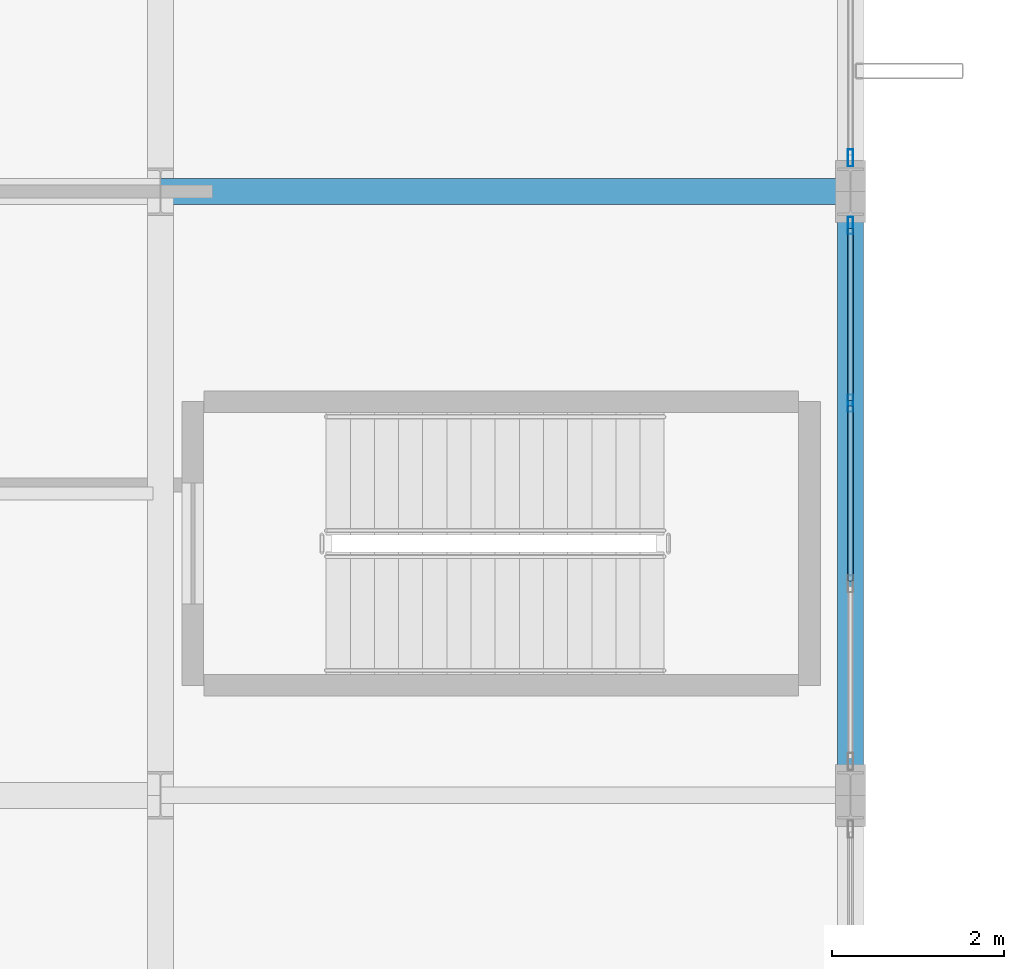
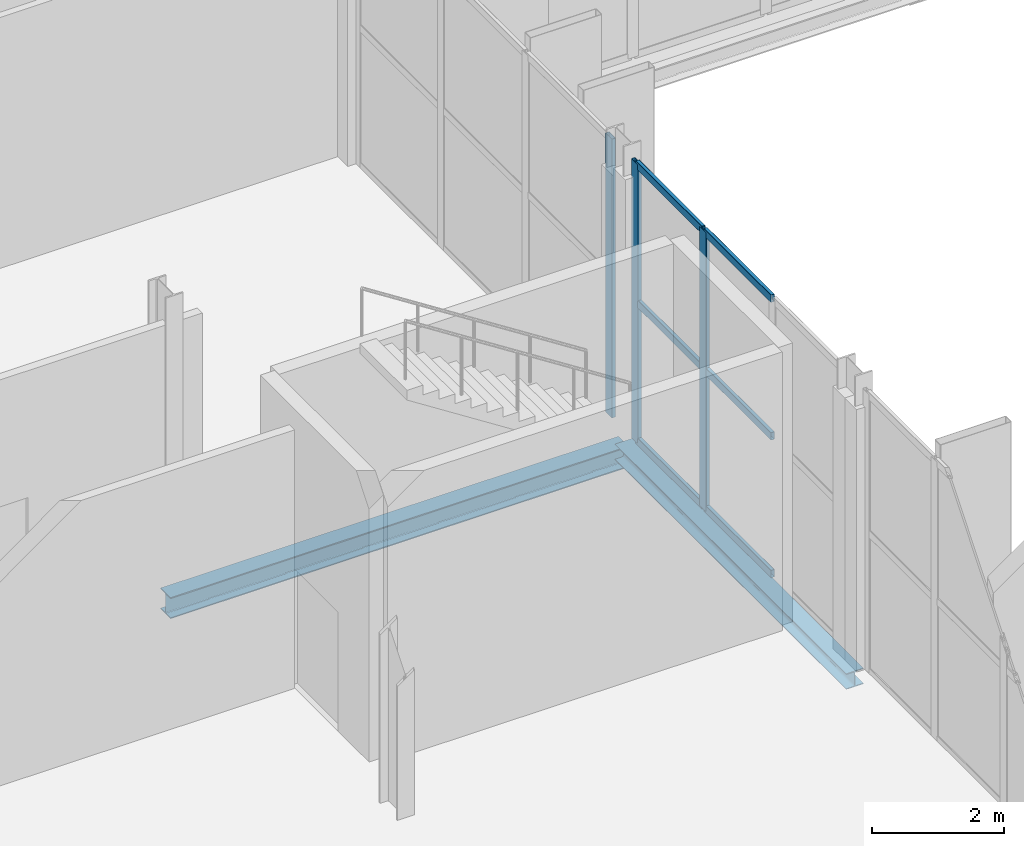
# One storey, part 46 of 147: 9 members, 2 beams, 2 elements without a shape of their own.
"""IFC4 building model written with IfcOpenShell, lengths in metres."""

from ifc_helpers import new_model, si_unit, direction, frame, origin, origin_2d, place, context, subcontext, project, spatial, hollow_rectangle, i_section, extrude, material, layer, layer_set, material_profile, profile_set, type_object, element, aggregate, save


model = new_model("IFC4")

# Units and contexts
model_context = context("Model", 3, precision=1e-05, world=origin(), true_north=direction((0.0, 1.0)))
body_context = subcontext(model_context, "Body", "Model", "MODEL_VIEW")
ifc_project = project(units=[si_unit("LENGTHUNIT", "METRE"), si_unit("AREAUNIT", "SQUARE_METRE"), si_unit("VOLUMEUNIT", "CUBIC_METRE"), si_unit("PLANEANGLEUNIT", "RADIAN"), si_unit("MASSUNIT", "GRAM", prefix="KILO")], contexts=[model_context])

# Site, building, storey
site_placement = place(None, origin())
site = spatial("IfcSite", under=ifc_project, at=site_placement, CompositionType="ELEMENT")
building_placement = place(site_placement, origin())
building = spatial("IfcBuilding", under=site, at=building_placement, Name="Vekula Escarpment Museum", CompositionType="ELEMENT")
storey_placement = place(building_placement, frame((0.0, 0.0, 7.800048828125)))
storey = spatial("IfcBuildingStorey", under=building, at=storey_placement, Name="L02", CompositionType="ELEMENT", Elevation=7.800048828125)

# Beams
ifc_material_1 = material(Name="Steel S355", Category="steel")
ifc_material_profile_1 = material_profile(ifc_material_1, i_section(OverallWidth=0.300048828125, OverallDepth=0.2900390625, WebThickness=0.008544921875, FlangeThickness=0.013916015625, FilletRadius=0.027099609375, at=origin_2d()), Name="HEA 300")
ifc_profile_set_1 = profile_set([ifc_material_profile_1], Name="Steel S355")
beam_type_1 = type_object("IfcBeamType", Name="BM-SPAN-HEA300", PredefinedType="SPANDREL", material=ifc_profile_set_1)
beam_1_placement = place(storey_placement, frame((126.0, 52.60009765625, -0.405029296875), z_axis=(0.0, 1.0, 0.0), x_axis=(-1.0, 0.0, 0.0)))
element("IfcBeam", 1, at=beam_1_placement, inside=storey, type_object=beam_type_1, Name="Beam Y L02 1203", PredefinedType="SPANDREL", context=body_context, shape_type="SweptSolid", body=[
    extrude(i_section(OverallWidth=0.300048828125, OverallDepth=0.2900390625, WebThickness=0.008544921875, FlangeThickness=0.013916015625, FilletRadius=0.027099609375, at=origin_2d()), origin(), (0.0, 0.0, 1.0), 7.0),
])
ifc_material_2 = material(Name="Steel S355", Category="steel")
ifc_material_profile_2 = material_profile(ifc_material_2, i_section(OverallWidth=0.300048828125, OverallDepth=0.389892578125, WebThickness=0.010986328125, FlangeThickness=0.01904296875, FilletRadius=0.027099609375, at=origin_2d()), Name="HEA 400")
ifc_profile_set_2 = profile_set([ifc_material_profile_2], Name="Steel S355")
beam_type_2 = type_object("IfcBeamType", Name="BM-SPAN-HEA400", PredefinedType="SPANDREL", material=ifc_profile_set_2)
beam_2_placement = place(storey_placement, frame((118.0, 59.60009765625, -0.455078125), z_axis=(1.0, 0.0, 0.0), x_axis=(0.0, 1.0, 0.0)))
element("IfcBeam", 2, at=beam_2_placement, inside=storey, type_object=beam_type_2, Name="Beam X L02 0884", PredefinedType="SPANDREL", context=body_context, shape_type="SweptSolid", body=[
    extrude(i_section(OverallWidth=0.300048828125, OverallDepth=0.389892578125, WebThickness=0.010986328125, FlangeThickness=0.01904296875, FilletRadius=0.027099609375, at=origin_2d()), origin(), (0.0, 0.0, 1.0), 8.0),
])

# Curtain wall, members
ifc_material_3 = material(Name="Aluminium thermally broken framing", Category="aluminium")
ifc_layer_1 = layer(ifc_material_3, 0.159912109375)
ifc_layer_set_1 = layer_set([ifc_layer_1], Name="Aluminium thermally broken framing")
curtain_wall_type_1 = type_object("IfcCurtainWallType", Name="CW-SYS-01", PredefinedType="NOTDEFINED", material=ifc_layer_set_1)
curtain_wall_1_placement = place(storey_placement, origin())
curtain_wall_1 = element("IfcCurtainWall", 3, at=curtain_wall_1_placement, inside=storey, type_object=curtain_wall_type_1, Name="Curtain Wall CW-L02-061", PredefinedType="NOTDEFINED")
ifc_material_4 = material(Name="Aluminium anodized mullion", Category="aluminium")
ifc_material_profile_3 = material_profile(ifc_material_4, hollow_rectangle(XDim=0.06494140625, YDim=0.199951171875, WallThickness=0.00390625, InnerFilletRadius=0.00390625, OuterFilletRadius=0.008056640625, at=origin_2d()), Name="ALU 200x65x4")
ifc_profile_set_3 = profile_set([ifc_material_profile_3], Name="Aluminium anodized mullion")
member_type_1 = type_object("IfcMemberType", Name="CW-MUL-200", PredefinedType="MULLION", material=ifc_profile_set_3)
member_1_placement = place(storey_placement, frame((126.0, 57.146728515625, 0.0), z_axis=(0.0, 0.0, 1.0), x_axis=(-1.0, 0.0, 0.0)))
member_1 = element("IfcMember", 4, at=member_1_placement, type_object=member_type_1, Name="CW-01 mullion 3", PredefinedType="MULLION", context=body_context, shape_type="SweptSolid", body=[
    extrude(hollow_rectangle(XDim=0.06494140625, YDim=0.199951171875, WallThickness=0.00390625, InnerFilletRadius=0.00390625, OuterFilletRadius=0.008056640625, at=origin_2d()), origin(), (0.0, 0.0, 1.0), 5.14990234375),
])
member_2_placement = place(storey_placement, frame((126.0, 59.20751953125, 0.0), z_axis=(0.0, 0.0, 1.0), x_axis=(-1.0, 0.0, 0.0)))
member_2 = element("IfcMember", 5, at=member_2_placement, type_object=member_type_1, Name="CW-01 mullion 4", PredefinedType="MULLION", context=body_context, shape_type="SweptSolid", body=[
    extrude(hollow_rectangle(XDim=0.06494140625, YDim=0.199951171875, WallThickness=0.00390625, InnerFilletRadius=0.00390625, OuterFilletRadius=0.008056640625, at=origin_2d()), origin(), (0.0, 0.0, 1.0), 5.14990234375),
])

# Curtain wall, member
ifc_material_5 = material(Name="Aluminium thermally broken framing", Category="aluminium")
ifc_layer_2 = layer(ifc_material_5, 0.159912109375)
ifc_layer_set_2 = layer_set([ifc_layer_2], Name="Aluminium thermally broken framing")
curtain_wall_type_2 = type_object("IfcCurtainWallType", Name="CW-SYS-02", PredefinedType="NOTDEFINED", material=ifc_layer_set_2)
curtain_wall_2_placement = place(storey_placement, origin())
curtain_wall_2 = element("IfcCurtainWall", 6, at=curtain_wall_2_placement, inside=storey, type_object=curtain_wall_type_2, Name="Curtain Wall CW-L02-062", PredefinedType="NOTDEFINED")
member_3_placement = place(storey_placement, frame((126.0, 59.992431640625, 0.0), z_axis=(0.0, 0.0, 1.0), x_axis=(-1.0, 0.0, 0.0)))
member_3 = element("IfcMember", 7, at=member_3_placement, type_object=member_type_1, Name="CW-02 mullion 1", PredefinedType="MULLION", context=body_context, shape_type="SweptSolid", body=[
    extrude(hollow_rectangle(XDim=0.06494140625, YDim=0.199951171875, WallThickness=0.00390625, InnerFilletRadius=0.00390625, OuterFilletRadius=0.008056640625, at=origin_2d()), origin(), (0.0, 0.0, 1.0), 5.14990234375),
])
aggregate(curtain_wall_2, [member_3])

# Member
ifc_material_6 = material(Name="Aluminium anodized transom", Category="aluminium")
ifc_material_profile_4 = material_profile(ifc_material_6, hollow_rectangle(XDim=0.06494140625, YDim=0.139892578125, WallThickness=0.00390625, InnerFilletRadius=0.00390625, OuterFilletRadius=0.008056640625, at=origin_2d()), Name="ALU 140x65x4")
ifc_profile_set_4 = profile_set([ifc_material_profile_4], Name="Aluminium anodized transom")
member_type_2 = type_object("IfcMemberType", Name="CW-TRN-140", PredefinedType="USERDEFINED", material=ifc_profile_set_4)
member_4_placement = place(storey_placement, frame((126.0, 55.0859375, 0.032470703125), z_axis=(0.0, 1.0, 0.0), x_axis=(-1.0, 0.0, 0.0)))
member_4 = element("IfcMember", 8, at=member_4_placement, type_object=member_type_2, Name="CW-01 transom 2.1", ObjectType="TRANSOM", PredefinedType="USERDEFINED", context=body_context, shape_type="SweptSolid", body=[
    extrude(hollow_rectangle(XDim=0.06494140625, YDim=0.139892578125, WallThickness=0.00390625, InnerFilletRadius=0.00390625, OuterFilletRadius=0.008056640625, at=origin_2d()), origin(), (0.0, 0.0, 1.0), 2.0283203125),
])

member_5_placement = place(storey_placement, frame((126.0, 55.0859375, 2.574951171875), z_axis=(0.0, 1.0, 0.0), x_axis=(-1.0, 0.0, 0.0)))
member_5 = element("IfcMember", 9, at=member_5_placement, type_object=member_type_2, Name="CW-01 transom 2.2", ObjectType="TRANSOM", PredefinedType="USERDEFINED", context=body_context, shape_type="SweptSolid", body=[
    extrude(hollow_rectangle(XDim=0.06494140625, YDim=0.139892578125, WallThickness=0.00390625, InnerFilletRadius=0.00390625, OuterFilletRadius=0.008056640625, at=origin_2d()), origin(), (0.0, 0.0, 1.0), 2.0283203125),
])

member_6_placement = place(storey_placement, frame((126.0, 55.0859375, 5.117431640625), z_axis=(0.0, 1.0, 0.0), x_axis=(-1.0, 0.0, 0.0)))
member_6 = element("IfcMember", 10, at=member_6_placement, type_object=member_type_2, Name="CW-01 transom 2.3", ObjectType="TRANSOM", PredefinedType="USERDEFINED", context=body_context, shape_type="SweptSolid", body=[
    extrude(hollow_rectangle(XDim=0.06494140625, YDim=0.139892578125, WallThickness=0.00390625, InnerFilletRadius=0.00390625, OuterFilletRadius=0.008056640625, at=origin_2d()), origin(), (0.0, 0.0, 1.0), 2.0283203125),
])

member_7_placement = place(storey_placement, frame((126.0, 57.17919921875, 0.032470703125), z_axis=(0.0, 1.0, 0.0), x_axis=(-1.0, 0.0, 0.0)))
member_7 = element("IfcMember", 11, at=member_7_placement, type_object=member_type_2, Name="CW-01 transom 3.1", ObjectType="TRANSOM", PredefinedType="USERDEFINED", context=body_context, shape_type="SweptSolid", body=[
    extrude(hollow_rectangle(XDim=0.06494140625, YDim=0.139892578125, WallThickness=0.00390625, InnerFilletRadius=0.00390625, OuterFilletRadius=0.008056640625, at=origin_2d()), origin(), (0.0, 0.0, 1.0), 1.995849609375),
])

member_8_placement = place(storey_placement, frame((126.0, 57.17919921875, 2.574951171875), z_axis=(0.0, 1.0, 0.0), x_axis=(-1.0, 0.0, 0.0)))
member_8 = element("IfcMember", 12, at=member_8_placement, type_object=member_type_2, Name="CW-01 transom 3.2", ObjectType="TRANSOM", PredefinedType="USERDEFINED", context=body_context, shape_type="SweptSolid", body=[
    extrude(hollow_rectangle(XDim=0.06494140625, YDim=0.139892578125, WallThickness=0.00390625, InnerFilletRadius=0.00390625, OuterFilletRadius=0.008056640625, at=origin_2d()), origin(), (0.0, 0.0, 1.0), 1.995849609375),
])

member_9_placement = place(storey_placement, frame((126.0, 57.17919921875, 5.117431640625), z_axis=(0.0, 1.0, 0.0), x_axis=(-1.0, 0.0, 0.0)))
member_9 = element("IfcMember", 13, at=member_9_placement, type_object=member_type_2, Name="CW-01 transom 3.3", ObjectType="TRANSOM", PredefinedType="USERDEFINED", context=body_context, shape_type="SweptSolid", body=[
    extrude(hollow_rectangle(XDim=0.06494140625, YDim=0.139892578125, WallThickness=0.00390625, InnerFilletRadius=0.00390625, OuterFilletRadius=0.008056640625, at=origin_2d()), origin(), (0.0, 0.0, 1.0), 1.995849609375),
])

aggregate(curtain_wall_1, [member_1, member_2, member_4, member_5, member_6, member_7, member_8, member_9])

save(model, "model.ifc")
